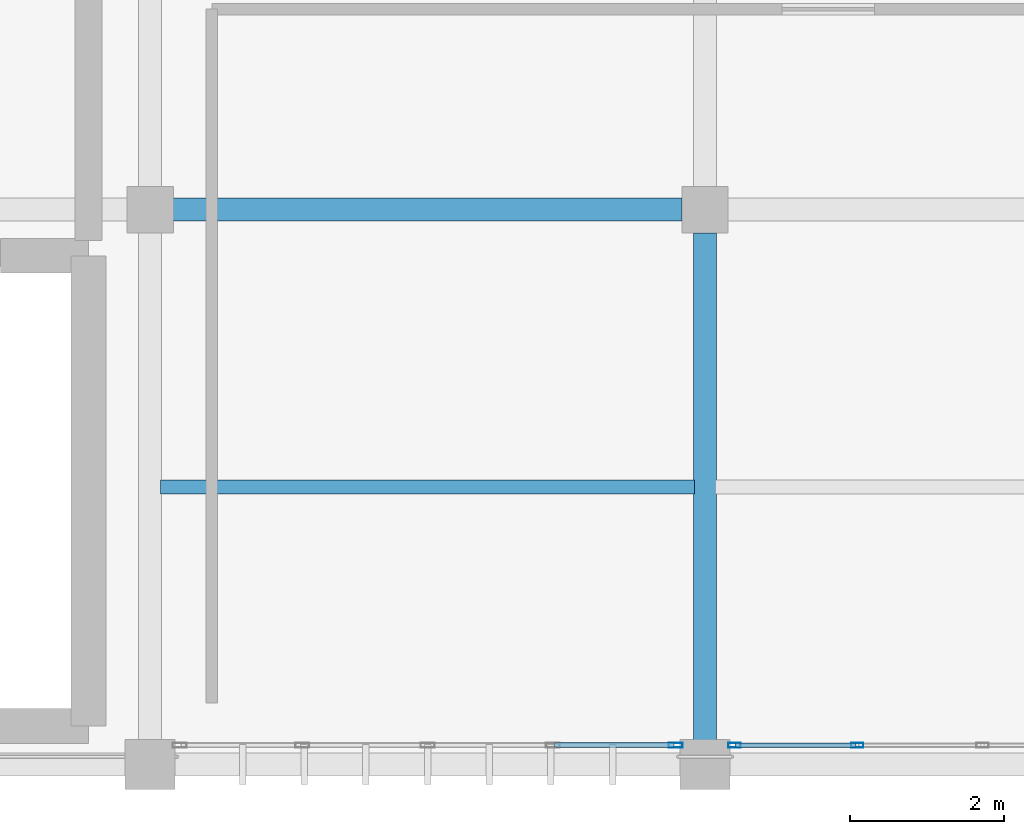
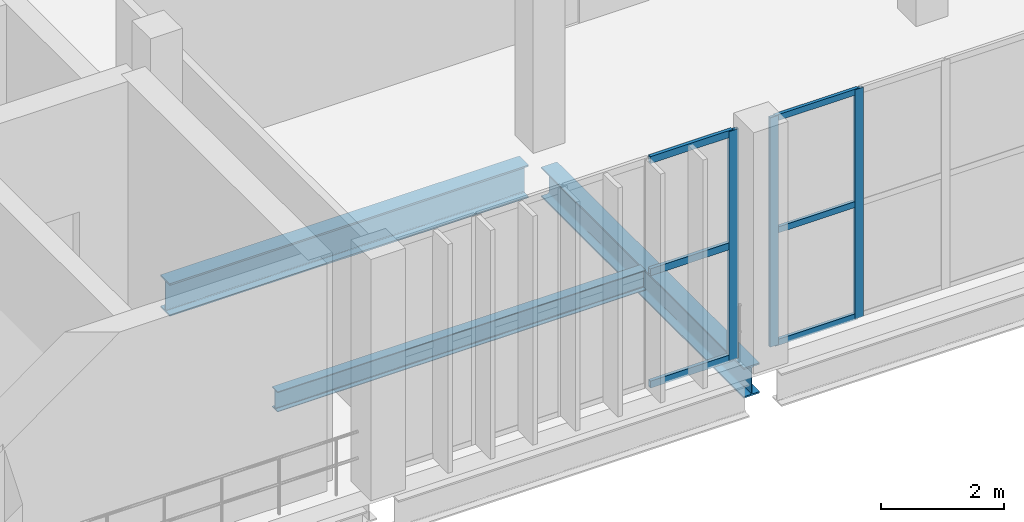
# One storey, part 22 of 105: 9 members, 3 beams, 2 elements without a shape of their own.
"""IFC4 building model written with IfcOpenShell, lengths in metres."""

from ifc_helpers import new_model, si_unit, direction, frame, origin, origin_2d, place, context, subcontext, project, spatial, hollow_rectangle, i_section, extrude, material, material_profile, profile_set, type_object, element, aggregate, save


model = new_model("IFC4")

# Units and contexts
model_context = context("Model", 3, precision=1e-05, world=origin(), true_north=direction((0.0, 1.0)))
body_context = subcontext(model_context, "Body", "Model", "MODEL_VIEW")
ifc_project = project(units=[si_unit("LENGTHUNIT", "METRE"), si_unit("AREAUNIT", "SQUARE_METRE"), si_unit("VOLUMEUNIT", "CUBIC_METRE"), si_unit("PLANEANGLEUNIT", "RADIAN"), si_unit("MASSUNIT", "GRAM", prefix="KILO")], contexts=[model_context])

# Site, building, storey
site_placement = place(None, origin())
site = spatial("IfcSite", under=ifc_project, at=site_placement, CompositionType="ELEMENT")
building_placement = place(site_placement, origin())
building = spatial("IfcBuilding", under=site, at=building_placement, Name="Qandorah Velis Arena", CompositionType="ELEMENT")
storey_placement = place(building_placement, frame((0.0, 0.0, 13.800048828125)))
storey = spatial("IfcBuildingStorey", under=building, at=storey_placement, Name="L03", CompositionType="ELEMENT", Elevation=13.800048828125)

# Curtain wall, members
ifc_material_1 = material(Name="Solar-control low-E double glazing", Category="glass")
curtain_wall_type_1 = type_object("IfcCurtainWallType", Name="ARC-CW-SYS23", PredefinedType="USERDEFINED", material=ifc_material_1)
curtain_wall_1_placement = place(storey_placement, origin())
curtain_wall_1 = element("IfcCurtainWall", 1, at=curtain_wall_1_placement, inside=storey, type_object=curtain_wall_type_1, Name="Unitised curtain wall L03-071", ObjectType="UNITISED CURTAIN WALL", PredefinedType="USERDEFINED")
ifc_material_2 = material(Name="Champagne-bronze anodized aluminium 6063-T6", Category="aluminium")
ifc_material_profile_1 = material_profile(ifc_material_2, hollow_rectangle(XDim=0.06005859375, YDim=0.159912109375, WallThickness=0.00341796875, at=origin_2d()), Name="ALU MULLION 60x160")
ifc_profile_set_1 = profile_set([ifc_material_profile_1], Name="Champagne-bronze anodized aluminium 6063-T6")
member_type_1 = type_object("IfcMemberType", Name="ARC-CWM-160", PredefinedType="MULLION", material=ifc_profile_set_1)
member_1_placement = place(storey_placement, frame((93.97998046875, 0.25, -0.01513671875), z_axis=(0.0, 0.0, 1.0), x_axis=(0.0, 1.0, 0.0)))
member_1 = element("IfcMember", 2, at=member_1_placement, type_object=member_type_1, Name="CW23 mullion 1", PredefinedType="MULLION", context=body_context, shape_type="SweptSolid", body=[
    extrude(hollow_rectangle(XDim=0.06005859375, YDim=0.159912109375, WallThickness=0.00341796875, at=origin_2d()), origin(), (0.0, 0.0, 1.0), 4.56005859375),
])
member_2_placement = place(storey_placement, frame((95.574951171875, 0.25, -0.01513671875), z_axis=(0.0, 0.0, 1.0), x_axis=(0.0, 1.0, 0.0)))
member_2 = element("IfcMember", 3, at=member_2_placement, type_object=member_type_1, Name="CW23 mullion 2", PredefinedType="MULLION", context=body_context, shape_type="SweptSolid", body=[
    extrude(hollow_rectangle(XDim=0.06005859375, YDim=0.159912109375, WallThickness=0.00341796875, at=origin_2d()), origin(), (0.0, 0.0, 1.0), 4.56005859375),
])

# Curtain wall, member
curtain_wall_type_2 = type_object("IfcCurtainWallType", Name="ARC-CW-SYS22", PredefinedType="USERDEFINED", material=ifc_material_1)
curtain_wall_2_placement = place(storey_placement, origin())
curtain_wall_2 = element("IfcCurtainWall", 4, at=curtain_wall_2_placement, inside=storey, type_object=curtain_wall_type_2, Name="Unitised curtain wall L03-070", ObjectType="UNITISED CURTAIN WALL", PredefinedType="USERDEFINED")
ifc_material_profile_2 = material_profile(ifc_material_2, hollow_rectangle(XDim=0.06494140625, YDim=0.179931640625, WallThickness=0.00341796875, at=origin_2d()), Name="ALU MULLION 65x180")
ifc_profile_set_2 = profile_set([ifc_material_profile_2], Name="Champagne-bronze anodized aluminium 6063-T6")
member_type_2 = type_object("IfcMemberType", Name="ARC-CWM-180", PredefinedType="MULLION", material=ifc_profile_set_2)
member_3_placement = place(storey_placement, frame((93.217529296875, 0.25, -0.01513671875), z_axis=(0.0, 0.0, 1.0), x_axis=(0.0, 1.0, 0.0)))
member_3 = element("IfcMember", 5, at=member_3_placement, type_object=member_type_2, Name="CW22 mullion 5", PredefinedType="MULLION", context=body_context, shape_type="SweptSolid", body=[
    extrude(hollow_rectangle(XDim=0.06494140625, YDim=0.179931640625, WallThickness=0.00341796875, at=origin_2d()), origin(), (0.0, 0.0, 1.0), 4.56005859375),
])

# Member
ifc_material_profile_3 = material_profile(ifc_material_2, hollow_rectangle(XDim=0.06005859375, YDim=0.1201171875, WallThickness=0.0029296875, at=origin_2d()), Name="ALU TRANSOM 60x120")
ifc_profile_set_3 = profile_set([ifc_material_profile_3], Name="Champagne-bronze anodized aluminium 6063-T6")
member_type_3 = type_object("IfcMemberType", Name="ARC-CWT-120", PredefinedType="USERDEFINED", material=ifc_profile_set_3)
member_4_placement = place(storey_placement, frame((93.998046875, 0.25, 0.030029296875), z_axis=(1.0, 0.0, 0.0), x_axis=(0.0, 1.0, 0.0)))
member_4 = element("IfcMember", 6, at=member_4_placement, type_object=member_type_3, Name="CW23 transom 1.1", ObjectType="TRANSOM", PredefinedType="USERDEFINED", context=body_context, shape_type="SweptSolid", body=[
    extrude(hollow_rectangle(XDim=0.06005859375, YDim=0.1201171875, WallThickness=0.0029296875, at=origin_2d()), origin(), (0.0, 0.0, 1.0), 1.558837890625),
])

member_5_placement = place(storey_placement, frame((93.998046875, 0.25, 2.264892578125), z_axis=(1.0, 0.0, 0.0), x_axis=(0.0, 1.0, 0.0)))
member_5 = element("IfcMember", 7, at=member_5_placement, type_object=member_type_3, Name="CW23 transom 1.2", ObjectType="TRANSOM", PredefinedType="USERDEFINED", context=body_context, shape_type="SweptSolid", body=[
    extrude(hollow_rectangle(XDim=0.06005859375, YDim=0.1201171875, WallThickness=0.0029296875, at=origin_2d()), origin(), (0.0, 0.0, 1.0), 1.558837890625),
])

member_6_placement = place(storey_placement, frame((93.998046875, 0.25, 4.5), z_axis=(1.0, 0.0, 0.0), x_axis=(0.0, 1.0, 0.0)))
member_6 = element("IfcMember", 8, at=member_6_placement, type_object=member_type_3, Name="CW23 transom 1.3", ObjectType="TRANSOM", PredefinedType="USERDEFINED", context=body_context, shape_type="SweptSolid", body=[
    extrude(hollow_rectangle(XDim=0.06005859375, YDim=0.1201171875, WallThickness=0.0029296875, at=origin_2d()), origin(), (0.0, 0.0, 1.0), 1.558837890625),
])

aggregate(curtain_wall_1, [member_1, member_2, member_4, member_5, member_6])

ifc_material_profile_4 = material_profile(ifc_material_2, hollow_rectangle(XDim=0.06494140625, YDim=0.139892578125, WallThickness=0.0029296875, at=origin_2d()), Name="ALU TRANSOM 65x140")
ifc_profile_set_4 = profile_set([ifc_material_profile_4], Name="Champagne-bronze anodized aluminium 6063-T6")
member_type_4 = type_object("IfcMemberType", Name="ARC-CWT-140", PredefinedType="USERDEFINED", material=ifc_profile_set_4)
member_7_placement = place(storey_placement, frame((91.6455078125, 0.25, 0.032470703125), z_axis=(1.0, 0.0, 0.0), x_axis=(0.0, 1.0, 0.0)))
member_7 = element("IfcMember", 9, at=member_7_placement, type_object=member_type_4, Name="CW22 transom 4.1", ObjectType="TRANSOM", PredefinedType="USERDEFINED", context=body_context, shape_type="SweptSolid", body=[
    extrude(hollow_rectangle(XDim=0.06494140625, YDim=0.139892578125, WallThickness=0.0029296875, at=origin_2d()), origin(), (0.0, 0.0, 1.0), 1.551513671875),
])

member_8_placement = place(storey_placement, frame((91.6455078125, 0.25, 2.264892578125), z_axis=(1.0, 0.0, 0.0), x_axis=(0.0, 1.0, 0.0)))
member_8 = element("IfcMember", 10, at=member_8_placement, type_object=member_type_4, Name="CW22 transom 4.2", ObjectType="TRANSOM", PredefinedType="USERDEFINED", context=body_context, shape_type="SweptSolid", body=[
    extrude(hollow_rectangle(XDim=0.06494140625, YDim=0.139892578125, WallThickness=0.0029296875, at=origin_2d()), origin(), (0.0, 0.0, 1.0), 1.551513671875),
])

member_9_placement = place(storey_placement, frame((91.6455078125, 0.25, 4.49755859375), z_axis=(1.0, 0.0, 0.0), x_axis=(0.0, 1.0, 0.0)))
member_9 = element("IfcMember", 11, at=member_9_placement, type_object=member_type_4, Name="CW22 transom 4.3", ObjectType="TRANSOM", PredefinedType="USERDEFINED", context=body_context, shape_type="SweptSolid", body=[
    extrude(hollow_rectangle(XDim=0.06494140625, YDim=0.139892578125, WallThickness=0.0029296875, at=origin_2d()), origin(), (0.0, 0.0, 1.0), 1.551513671875),
])

aggregate(curtain_wall_2, [member_3, member_7, member_8, member_9])

# Beams
ifc_material_3 = material(Name="Steel S355", Category="steel")
ifc_material_profile_5 = material_profile(ifc_material_3, i_section(OverallWidth=0.300048828125, OverallDepth=0.60009765625, WebThickness=0.015380859375, FlangeThickness=0.030029296875, FilletRadius=0.027099609375, at=origin_2d()), Name="HEB 600")
ifc_profile_set_5 = profile_set([ifc_material_profile_5], Name="Steel S355")
beam_type_1 = type_object("IfcBeamType", Name="STR-BM-HEB600", PredefinedType="BEAM", material=ifc_profile_set_5)
beam_1_placement = place(storey_placement, frame((93.60009765625, 0.300048828125, -0.6201171875), z_axis=(0.0, 1.0, 0.0), x_axis=(-1.0, 0.0, 0.0)))
element("IfcBeam", 12, at=beam_1_placement, inside=storey, type_object=beam_type_1, Name="Primary floor girder L03 Y-274", PredefinedType="BEAM", context=body_context, shape_type="SweptSolid", body=[
    extrude(i_section(OverallWidth=0.300048828125, OverallDepth=0.60009765625, WebThickness=0.015380859375, FlangeThickness=0.030029296875, FilletRadius=0.027099609375, at=origin_2d()), origin(), (0.0, 0.0, 1.0), 6.599853515625),
])
ifc_material_profile_6 = material_profile(ifc_material_3, i_section(OverallWidth=0.300048828125, OverallDepth=0.64990234375, WebThickness=0.01611328125, FlangeThickness=0.031005859375, FilletRadius=0.027099609375, at=origin_2d()), Name="HEB 650")
ifc_profile_set_6 = profile_set([ifc_material_profile_6], Name="Steel S355")
beam_type_2 = type_object("IfcBeamType", Name="STR-BM-HEB650", PredefinedType="BEAM", material=ifc_profile_set_6)
beam_2_placement = place(storey_placement, frame((86.550048828125, 7.199951171875, -0.64501953125), z_axis=(1.0, 0.0, 0.0), x_axis=(0.0, 1.0, 0.0)))
element("IfcBeam", 13, at=beam_2_placement, inside=storey, type_object=beam_type_2, Name="Primary floor girder L03 X-021", PredefinedType="BEAM", context=body_context, shape_type="SweptSolid", body=[
    extrude(i_section(OverallWidth=0.300048828125, OverallDepth=0.64990234375, WebThickness=0.01611328125, FlangeThickness=0.031005859375, FilletRadius=0.027099609375, at=origin_2d()), origin(), (0.0, 0.0, 1.0), 6.75),
])
ifc_material_profile_7 = material_profile(ifc_material_3, i_section(OverallWidth=0.179931640625, OverallDepth=0.39990234375, WebThickness=0.008544921875, FlangeThickness=0.013427734375, FilletRadius=0.02099609375, at=origin_2d()), Name="IPE 400")
ifc_profile_set_7 = profile_set([ifc_material_profile_7], Name="Steel S355")
beam_type_3 = type_object("IfcBeamType", Name="STR-JST-IPE400", PredefinedType="JOIST", material=ifc_profile_set_7)
beam_3_placement = place(storey_placement, frame((86.534912109375, 3.60009765625, -0.52001953125), z_axis=(1.0, 0.0, 0.0), x_axis=(0.0, 1.0, 0.0)))
element("IfcBeam", 14, at=beam_3_placement, inside=storey, type_object=beam_type_3, Name="Secondary floor joist L03-063", PredefinedType="JOIST", context=body_context, shape_type="SweptSolid", body=[
    extrude(i_section(OverallWidth=0.179931640625, OverallDepth=0.39990234375, WebThickness=0.008544921875, FlangeThickness=0.013427734375, FilletRadius=0.02099609375, at=origin_2d()), origin(), (0.0, 0.0, 1.0), 6.93017578125),
])

save(model, "model.ifc")
